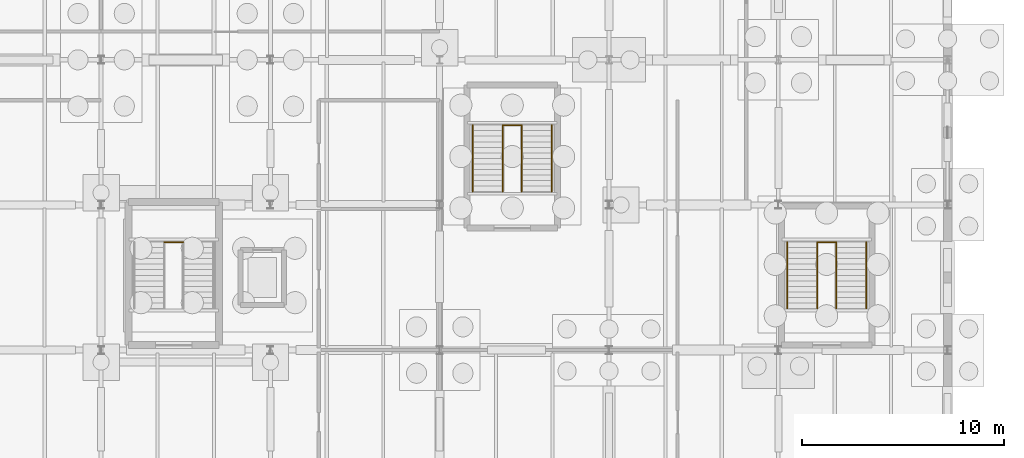
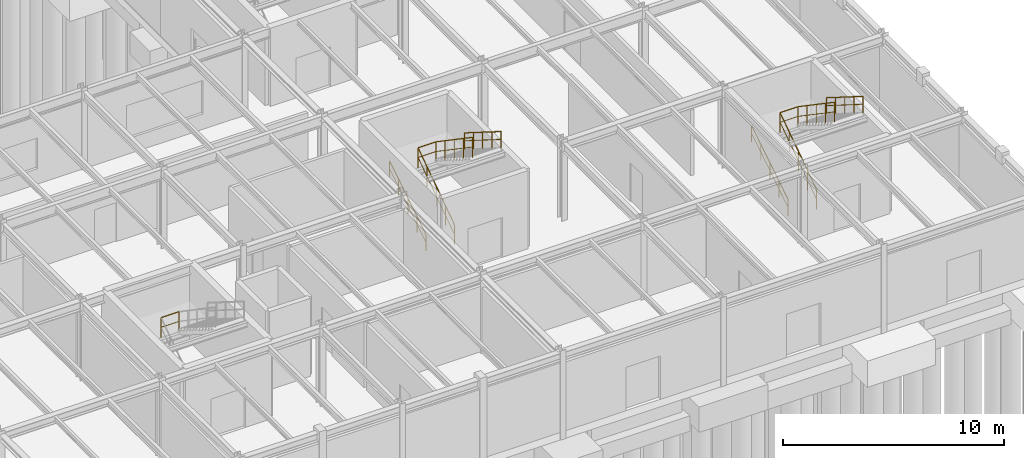
# One storey, part 87 of 93: 11 railings.
"""IFC4 building model written with IfcOpenShell, lengths in metres."""

from ifc_helpers import new_model, si_unit, derived_unit, direction, frame, origin, origin_2d, place, context, subcontext, project, spatial, circle, extrude, material, type_object, element, save


model = new_model("IFC4")

# Units and contexts
model_context = context("Model", 3, precision=1e-05, world=origin(), true_north=direction((0.0, 1.0)))
body_context = subcontext(model_context, "Body", "Model", "MODEL_VIEW")
ifc_project = project(units=[si_unit("LENGTHUNIT", "METRE"), si_unit("AREAUNIT", "SQUARE_METRE"), si_unit("VOLUMEUNIT", "CUBIC_METRE"), si_unit("PLANEANGLEUNIT", "RADIAN"), si_unit("MASSUNIT", "GRAM", prefix="KILO"), derived_unit("THERMALTRANSMITTANCEUNIT", [(si_unit("MASSUNIT", "GRAM", prefix="KILO"), 1), (si_unit("TIMEUNIT", "SECOND"), -3), (si_unit("THERMODYNAMICTEMPERATUREUNIT", "KELVIN"), -1)])], contexts=[model_context])

# Site, building, storey
site_placement = place(None, origin())
site = spatial("IfcSite", under=ifc_project, at=site_placement, CompositionType="ELEMENT")
building_placement = place(site_placement, origin())
building = spatial("IfcBuilding", under=site, at=building_placement, Name="Kharveza Railside Sports Centre", CompositionType="ELEMENT")
storey_placement = place(building_placement, origin())
storey = spatial("IfcBuildingStorey", under=building, at=storey_placement, Name="L00", CompositionType="ELEMENT", Elevation=0.0)

# Railings
ifc_material = material(Name="Steel S275JR", Category="steel")
railing_type_1 = type_object("IfcRailingType", Name="RL-GD110", PredefinedType="GUARDRAIL", material=ifc_material)
railing_1_placement = place(storey_placement, frame((129.1298828125, 19.760009765625, 2.25)))
element("IfcRailing", 1, at=railing_1_placement, inside=storey, type_object=railing_type_1, Name="STR-ST3-L00-GDH", PredefinedType="GUARDRAIL", context=body_context, shape_type="SweptSolid", body=[
    extrude(circle(Radius=0.02392578125, at=origin_2d()), frame((0.0, 0.0, 1.09619140625), z_axis=(1.0, 0.0, 0.0), x_axis=(0.0, 1.0, 0.0)), (0.0, 0.0, 1.0), 0.940185546875),
    extrude(circle(Radius=0.01611328125, at=origin_2d()), frame((0.0, 0.0, 0.56005859375), z_axis=(1.0, 0.0, 0.0), x_axis=(0.0, 1.0, 0.0)), (0.0, 0.0, 1.0), 0.940185546875),
    extrude(circle(Radius=0.02099609375, at=origin_2d()), origin(), (0.0, 0.0, 1.0), 1.072021484375),
    extrude(circle(Radius=0.02099609375, at=origin_2d()), frame((0.940185546875, 0.0, 0.0)), (0.0, 0.0, 1.0), 1.072021484375),
])
railing_2_placement = place(storey_placement, frame((145.929931640625, 22.260009765625, 0.0)))
element("IfcRailing", 2, at=railing_2_placement, inside=storey, type_object=railing_type_1, Name="STR-ST5-L00-GD1", PredefinedType="GUARDRAIL", context=body_context, shape_type="SweptSolid", body=[
    extrude(circle(Radius=0.02392578125, at=origin_2d()), frame((0.0, 0.0, 1.09619140625), z_axis=(0.0, 0.826231222393, 0.56333113454), x_axis=(-1.0, 0.0, 0.0)), (0.0, 0.0, 1.0), 3.994140625),
    extrude(circle(Radius=0.01611328125, at=origin_2d()), frame((0.0, 0.0, 0.56005859375), z_axis=(0.0, 0.826231222393, 0.56333113454), x_axis=(-1.0, 0.0, 0.0)), (0.0, 0.0, 1.0), 3.994140625),
    extrude(circle(Radius=0.02099609375, at=origin_2d()), origin(), (0.0, 0.0, 1.0), 1.072021484375),
    extrude(circle(Radius=0.02099609375, at=origin_2d()), frame((0.0, 0.824951171875, 0.5625)), (0.0, 0.0, 1.0), 1.072021484375),
    extrude(circle(Radius=0.02099609375, at=origin_2d()), frame((0.0, 1.64990234375, 1.125)), (0.0, 0.0, 1.0), 1.072021484375),
    extrude(circle(Radius=0.02099609375, at=origin_2d()), frame((0.0, 2.47509765625, 1.6875)), (0.0, 0.0, 1.0), 1.072021484375),
    extrude(circle(Radius=0.02099609375, at=origin_2d()), frame((0.0, 3.300048828125, 2.25)), (0.0, 0.0, 1.0), 1.072021484375),
])
railing_3_placement = place(storey_placement, frame((146.8701171875, 25.56005859375, 2.25)))
element("IfcRailing", 3, at=railing_3_placement, inside=storey, type_object=railing_type_1, Name="STR-ST5-L00-GD2", PredefinedType="GUARDRAIL", context=body_context, shape_type="SweptSolid", body=[
    extrude(circle(Radius=0.02392578125, at=origin_2d()), frame((0.0, 0.0, 1.09619140625), z_axis=(0.0, -0.826231222393, 0.56333113454), x_axis=(1.0, 0.0, 0.0)), (0.0, 0.0, 1.0), 3.994140625),
    extrude(circle(Radius=0.01611328125, at=origin_2d()), frame((0.0, 0.0, 0.56005859375), z_axis=(0.0, -0.826231222393, 0.56333113454), x_axis=(1.0, 0.0, 0.0)), (0.0, 0.0, 1.0), 3.994140625),
    extrude(circle(Radius=0.02099609375, at=origin_2d()), origin(), (0.0, 0.0, 1.0), 1.072021484375),
    extrude(circle(Radius=0.02099609375, at=origin_2d()), frame((0.0, -0.824951171875, 0.5625)), (0.0, 0.0, 1.0), 1.072021484375),
    extrude(circle(Radius=0.02099609375, at=origin_2d()), frame((0.0, -1.64990234375, 1.125)), (0.0, 0.0, 1.0), 1.072021484375),
    extrude(circle(Radius=0.02099609375, at=origin_2d()), frame((0.0, -2.47509765625, 1.6875)), (0.0, 0.0, 1.0), 1.072021484375),
    extrude(circle(Radius=0.02099609375, at=origin_2d()), frame((0.0, -3.300048828125, 2.25)), (0.0, 0.0, 1.0), 1.072021484375),
])
railing_4_placement = place(storey_placement, frame((145.929931640625, 25.56005859375, 2.25)))
element("IfcRailing", 4, at=railing_4_placement, inside=storey, type_object=railing_type_1, Name="STR-ST5-L00-GDH", PredefinedType="GUARDRAIL", context=body_context, shape_type="SweptSolid", body=[
    extrude(circle(Radius=0.02392578125, at=origin_2d()), frame((0.0, 0.0, 1.09619140625), z_axis=(1.0, 0.0, 0.0), x_axis=(0.0, 1.0, 0.0)), (0.0, 0.0, 1.0), 0.940185546875),
    extrude(circle(Radius=0.01611328125, at=origin_2d()), frame((0.0, 0.0, 0.56005859375), z_axis=(1.0, 0.0, 0.0), x_axis=(0.0, 1.0, 0.0)), (0.0, 0.0, 1.0), 0.940185546875),
    extrude(circle(Radius=0.02099609375, at=origin_2d()), origin(), (0.0, 0.0, 1.0), 1.072021484375),
    extrude(circle(Radius=0.02099609375, at=origin_2d()), frame((0.940185546875, 0.0, 0.0)), (0.0, 0.0, 1.0), 1.072021484375),
])
railing_5_placement = place(storey_placement, frame((161.530029296875, 16.4599609375, 0.0)))
element("IfcRailing", 5, at=railing_5_placement, inside=storey, type_object=railing_type_1, Name="STR-ST11-L00-GD1", PredefinedType="GUARDRAIL", context=body_context, shape_type="SweptSolid", body=[
    extrude(circle(Radius=0.02392578125, at=origin_2d()), frame((0.0, 0.0, 1.09619140625), z_axis=(0.0, 0.826231222393, 0.56333113454), x_axis=(-1.0, 0.0, 0.0)), (0.0, 0.0, 1.0), 3.994140625),
    extrude(circle(Radius=0.01611328125, at=origin_2d()), frame((0.0, 0.0, 0.56005859375), z_axis=(0.0, 0.826231222393, 0.56333113454), x_axis=(-1.0, 0.0, 0.0)), (0.0, 0.0, 1.0), 3.994140625),
    extrude(circle(Radius=0.02099609375, at=origin_2d()), origin(), (0.0, 0.0, 1.0), 1.072021484375),
    extrude(circle(Radius=0.02099609375, at=origin_2d()), frame((0.0, 0.824951171875, 0.5625)), (0.0, 0.0, 1.0), 1.072021484375),
    extrude(circle(Radius=0.02099609375, at=origin_2d()), frame((0.0, 1.64990234375, 1.125)), (0.0, 0.0, 1.0), 1.072021484375),
    extrude(circle(Radius=0.02099609375, at=origin_2d()), frame((0.0, 2.47509765625, 1.6875)), (0.0, 0.0, 1.0), 1.072021484375),
    extrude(circle(Radius=0.02099609375, at=origin_2d()), frame((0.0, 3.300048828125, 2.25)), (0.0, 0.0, 1.0), 1.072021484375),
])
railing_6_placement = place(storey_placement, frame((162.469970703125, 19.760009765625, 2.25)))
element("IfcRailing", 6, at=railing_6_placement, inside=storey, type_object=railing_type_1, Name="STR-ST11-L00-GD2", PredefinedType="GUARDRAIL", context=body_context, shape_type="SweptSolid", body=[
    extrude(circle(Radius=0.02392578125, at=origin_2d()), frame((0.0, 0.0, 1.09619140625), z_axis=(0.0, -0.826231222393, 0.56333113454), x_axis=(1.0, 0.0, 0.0)), (0.0, 0.0, 1.0), 3.994140625),
    extrude(circle(Radius=0.01611328125, at=origin_2d()), frame((0.0, 0.0, 0.56005859375), z_axis=(0.0, -0.826231222393, 0.56333113454), x_axis=(1.0, 0.0, 0.0)), (0.0, 0.0, 1.0), 3.994140625),
    extrude(circle(Radius=0.02099609375, at=origin_2d()), origin(), (0.0, 0.0, 1.0), 1.072021484375),
    extrude(circle(Radius=0.02099609375, at=origin_2d()), frame((0.0, -0.824951171875, 0.5625)), (0.0, 0.0, 1.0), 1.072021484375),
    extrude(circle(Radius=0.02099609375, at=origin_2d()), frame((0.0, -1.64990234375, 1.125)), (0.0, 0.0, 1.0), 1.072021484375),
    extrude(circle(Radius=0.02099609375, at=origin_2d()), frame((0.0, -2.47509765625, 1.6875)), (0.0, 0.0, 1.0), 1.072021484375),
    extrude(circle(Radius=0.02099609375, at=origin_2d()), frame((0.0, -3.300048828125, 2.25)), (0.0, 0.0, 1.0), 1.072021484375),
])
railing_7_placement = place(storey_placement, frame((161.530029296875, 19.760009765625, 2.25)))
element("IfcRailing", 7, at=railing_7_placement, inside=storey, type_object=railing_type_1, Name="STR-ST11-L00-GDH", PredefinedType="GUARDRAIL", context=body_context, shape_type="SweptSolid", body=[
    extrude(circle(Radius=0.02392578125, at=origin_2d()), frame((0.0, 0.0, 1.09619140625), z_axis=(1.0, 0.0, 0.0), x_axis=(0.0, 1.0, 0.0)), (0.0, 0.0, 1.0), 0.93994140625),
    extrude(circle(Radius=0.01611328125, at=origin_2d()), frame((0.0, 0.0, 0.56005859375), z_axis=(1.0, 0.0, 0.0), x_axis=(0.0, 1.0, 0.0)), (0.0, 0.0, 1.0), 0.93994140625),
    extrude(circle(Radius=0.02099609375, at=origin_2d()), origin(), (0.0, 0.0, 1.0), 1.072021484375),
    extrude(circle(Radius=0.02099609375, at=origin_2d()), frame((0.93994140625, 0.0, 0.0)), (0.0, 0.0, 1.0), 1.072021484375),
])
railing_type_2 = type_object("IfcRailingType", Name="RL-HR092", PredefinedType="HANDRAIL", material=ifc_material)
railing_8_placement = place(storey_placement, frame((144.43994140625, 22.260009765625, 0.173095703125)))
element("IfcRailing", 8, at=railing_8_placement, inside=storey, type_object=railing_type_2, Name="STR-ST5-L00-HR1", PredefinedType="HANDRAIL", context=body_context, shape_type="SweptSolid", body=[
    extrude(circle(Radius=0.02392578125, at=origin_2d()), frame((0.0, 0.0, 0.89599609375), z_axis=(0.0, 0.846337383501, 0.532647194011), x_axis=(-1.0, 0.0, 0.0)), (0.0, 0.0, 1.0), 3.899169921875),
    extrude(circle(Radius=0.01611328125, at=origin_2d()), frame((0.0, 0.0, 0.4599609375), z_axis=(0.0, 0.846337383501, 0.532647194011), x_axis=(-1.0, 0.0, 0.0)), (0.0, 0.0, 1.0), 3.899169921875),
    extrude(circle(Radius=0.02099609375, at=origin_2d()), origin(), (0.0, 0.0, 1.0), 0.871826171875),
    extrude(circle(Radius=0.02099609375, at=origin_2d()), frame((0.0, 0.824951171875, 0.519287109375)), (0.0, 0.0, 1.0), 0.871826171875),
    extrude(circle(Radius=0.02099609375, at=origin_2d()), frame((0.0, 1.64990234375, 1.03857421875)), (0.0, 0.0, 1.0), 0.871826171875),
    extrude(circle(Radius=0.02099609375, at=origin_2d()), frame((0.0, 2.47509765625, 1.5576171875)), (0.0, 0.0, 1.0), 0.871826171875),
    extrude(circle(Radius=0.02099609375, at=origin_2d()), frame((0.0, 3.300048828125, 2.076904296875)), (0.0, 0.0, 1.0), 0.871826171875),
])
railing_9_placement = place(storey_placement, frame((148.360107421875, 25.56005859375, 2.423095703125)))
element("IfcRailing", 9, at=railing_9_placement, inside=storey, type_object=railing_type_2, Name="STR-ST5-L00-HR2", PredefinedType="HANDRAIL", context=body_context, shape_type="SweptSolid", body=[
    extrude(circle(Radius=0.02392578125, at=origin_2d()), frame((0.0, 0.0, 0.89599609375), z_axis=(0.0, -0.846337383501, 0.532647194011), x_axis=(1.0, 0.0, 0.0)), (0.0, 0.0, 1.0), 3.899169921875),
    extrude(circle(Radius=0.01611328125, at=origin_2d()), frame((0.0, 0.0, 0.4599609375), z_axis=(0.0, -0.846337383501, 0.532647194011), x_axis=(1.0, 0.0, 0.0)), (0.0, 0.0, 1.0), 3.899169921875),
    extrude(circle(Radius=0.02099609375, at=origin_2d()), origin(), (0.0, 0.0, 1.0), 0.871826171875),
    extrude(circle(Radius=0.02099609375, at=origin_2d()), frame((0.0, -0.824951171875, 0.519287109375)), (0.0, 0.0, 1.0), 0.871826171875),
    extrude(circle(Radius=0.02099609375, at=origin_2d()), frame((0.0, -1.64990234375, 1.03857421875)), (0.0, 0.0, 1.0), 0.871826171875),
    extrude(circle(Radius=0.02099609375, at=origin_2d()), frame((0.0, -2.47509765625, 1.5576171875)), (0.0, 0.0, 1.0), 0.871826171875),
    extrude(circle(Radius=0.02099609375, at=origin_2d()), frame((0.0, -3.300048828125, 2.076904296875)), (0.0, 0.0, 1.0), 0.871826171875),
])
railing_10_placement = place(storey_placement, frame((160.0400390625, 16.4599609375, 0.173095703125)))
element("IfcRailing", 10, at=railing_10_placement, inside=storey, type_object=railing_type_2, Name="STR-ST11-L00-HR1", PredefinedType="HANDRAIL", context=body_context, shape_type="SweptSolid", body=[
    extrude(circle(Radius=0.02392578125, at=origin_2d()), frame((0.0, 0.0, 0.89599609375), z_axis=(0.0, 0.846337383501, 0.532647194011), x_axis=(-1.0, 0.0, 0.0)), (0.0, 0.0, 1.0), 3.899169921875),
    extrude(circle(Radius=0.01611328125, at=origin_2d()), frame((0.0, 0.0, 0.4599609375), z_axis=(0.0, 0.846337383501, 0.532647194011), x_axis=(-1.0, 0.0, 0.0)), (0.0, 0.0, 1.0), 3.899169921875),
    extrude(circle(Radius=0.02099609375, at=origin_2d()), origin(), (0.0, 0.0, 1.0), 0.871826171875),
    extrude(circle(Radius=0.02099609375, at=origin_2d()), frame((0.0, 0.824951171875, 0.519287109375)), (0.0, 0.0, 1.0), 0.871826171875),
    extrude(circle(Radius=0.02099609375, at=origin_2d()), frame((0.0, 1.64990234375, 1.03857421875)), (0.0, 0.0, 1.0), 0.871826171875),
    extrude(circle(Radius=0.02099609375, at=origin_2d()), frame((0.0, 2.47509765625, 1.5576171875)), (0.0, 0.0, 1.0), 0.871826171875),
    extrude(circle(Radius=0.02099609375, at=origin_2d()), frame((0.0, 3.300048828125, 2.076904296875)), (0.0, 0.0, 1.0), 0.871826171875),
])
railing_11_placement = place(storey_placement, frame((163.9599609375, 19.760009765625, 2.423095703125)))
element("IfcRailing", 11, at=railing_11_placement, inside=storey, type_object=railing_type_2, Name="STR-ST11-L00-HR2", PredefinedType="HANDRAIL", context=body_context, shape_type="SweptSolid", body=[
    extrude(circle(Radius=0.02392578125, at=origin_2d()), frame((0.0, 0.0, 0.89599609375), z_axis=(0.0, -0.846337383501, 0.532647194011), x_axis=(1.0, 0.0, 0.0)), (0.0, 0.0, 1.0), 3.899169921875),
    extrude(circle(Radius=0.01611328125, at=origin_2d()), frame((0.0, 0.0, 0.4599609375), z_axis=(0.0, -0.846337383501, 0.532647194011), x_axis=(1.0, 0.0, 0.0)), (0.0, 0.0, 1.0), 3.899169921875),
    extrude(circle(Radius=0.02099609375, at=origin_2d()), origin(), (0.0, 0.0, 1.0), 0.871826171875),
    extrude(circle(Radius=0.02099609375, at=origin_2d()), frame((0.0, -0.824951171875, 0.519287109375)), (0.0, 0.0, 1.0), 0.871826171875),
    extrude(circle(Radius=0.02099609375, at=origin_2d()), frame((0.0, -1.64990234375, 1.03857421875)), (0.0, 0.0, 1.0), 0.871826171875),
    extrude(circle(Radius=0.02099609375, at=origin_2d()), frame((0.0, -2.47509765625, 1.5576171875)), (0.0, 0.0, 1.0), 0.871826171875),
    extrude(circle(Radius=0.02099609375, at=origin_2d()), frame((0.0, -3.300048828125, 2.076904296875)), (0.0, 0.0, 1.0), 0.871826171875),
])

save(model, "model.ifc")
